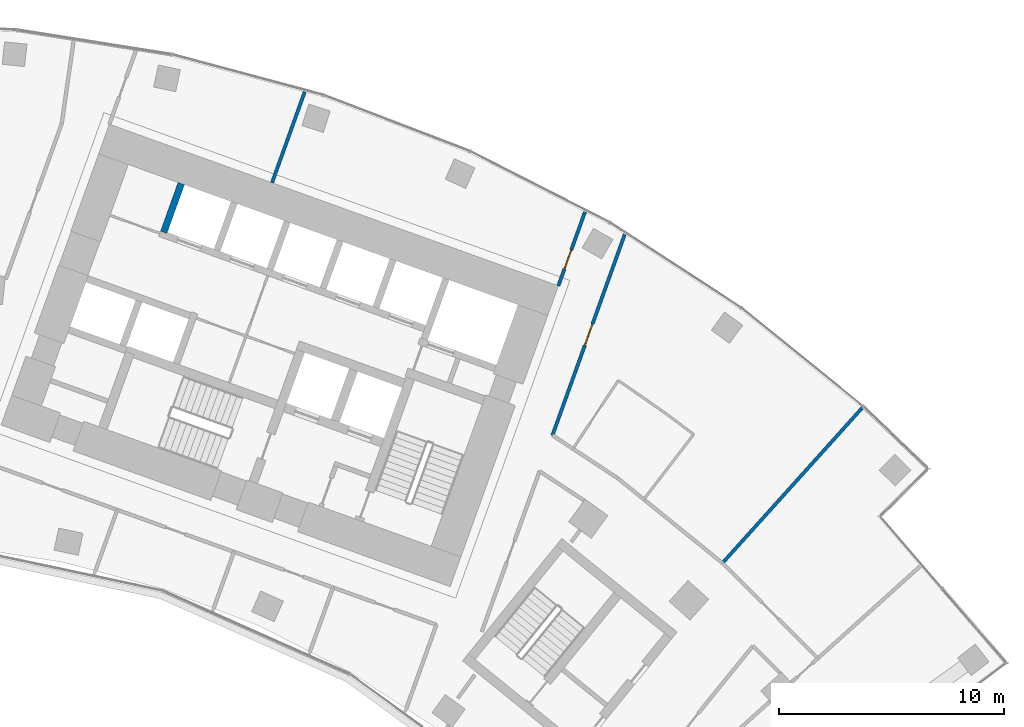
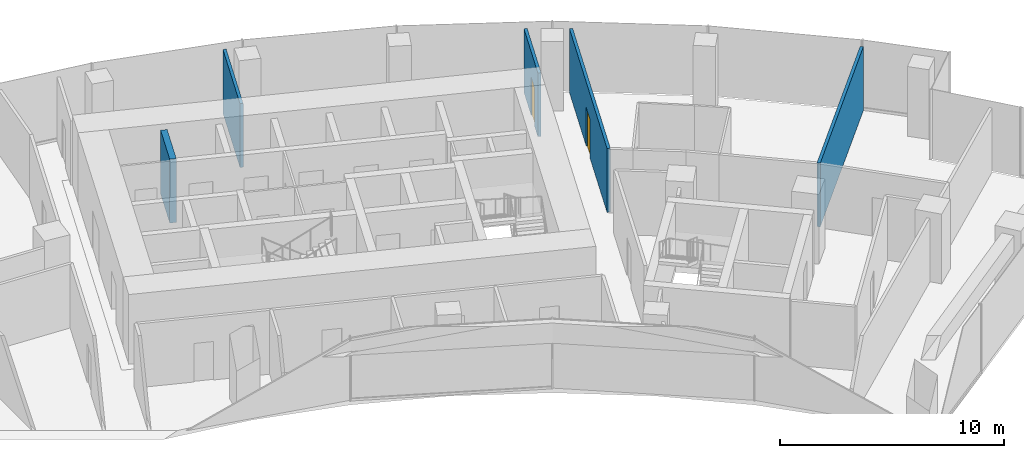
# One storey, part 18 of 21: 5 walls, 2 doors, 2 openings.
"""IFC4 building model written with IfcOpenShell, lengths in metres."""

from ifc_helpers import new_model, si_unit, direction, frame, frame_2d, origin, place, context, subcontext, project, spatial, rectangle, extrude, material, layer, layer_set, type_object, element, fill, save


model = new_model("IFC4")

# Units and contexts
model_context = context("Model", 3, precision=1e-05, world=origin(), true_north=direction((0.0, 1.0)))
body_context = subcontext(model_context, "Body", "Model", "MODEL_VIEW")
ifc_project = project(units=[si_unit("LENGTHUNIT", "METRE"), si_unit("AREAUNIT", "SQUARE_METRE"), si_unit("VOLUMEUNIT", "CUBIC_METRE"), si_unit("PLANEANGLEUNIT", "RADIAN"), si_unit("MASSUNIT", "GRAM", prefix="KILO")], contexts=[model_context])

# Site, building, storey
site_placement = place(None, origin())
site = spatial("IfcSite", under=ifc_project, at=site_placement, CompositionType="ELEMENT")
building_placement = place(site_placement, origin())
building = spatial("IfcBuilding", under=site, at=building_placement, Name="Stone Belt Terrace Tower", CompositionType="ELEMENT")
storey_placement = place(building_placement, frame((0.0, 0.0, 151.60009765625)))
storey = spatial("IfcBuildingStorey", under=building, at=storey_placement, Name="L36", CompositionType="ELEMENT", Elevation=151.60009765625)

# Wall
ifc_material_1 = material(Name="Concrete B80", Category="concrete")
ifc_layer_1 = layer(ifc_material_1, 0.300048828125)
ifc_layer_set_1 = layer_set([ifc_layer_1], Name="Lift shaft wall 300")
wall_type_1 = type_object("IfcWallType", Name="Lift shaft wall 300", PredefinedType="SHEAR", material=ifc_layer_set_1)
wall_1_placement = place(storey_placement, frame((13.471435546875, 57.218505859375, 0.0), z_axis=(0.0, 0.0, 1.0), x_axis=(0.338587917, 0.940934759939, 0.0)))
element("IfcWall", 1, at=wall_1_placement, inside=storey, type_object=wall_type_1, Name="Core B wall", PredefinedType="SHEAR", context=body_context, shape_type="SweptSolid", body=[
    extrude(rectangle(XDim=2.300048828125, YDim=0.300048828125, at=frame_2d((1.14990234375, 0.0))), origin(), (0.0, 0.0, 1.0), 3.47998046875),
])

# Wall, opening, door
ifc_material_2 = material(Name="Gypsum board partition")
ifc_layer_2 = layer(ifc_material_2, 0.14990234375)
ifc_layer_set_2 = layer_set([ifc_layer_2], Name="PARTITION 150 EI 60")
wall_type_2 = type_object("IfcWallType", Name="PARTITION 150 EI 60", PredefinedType="PARTITIONING", material=ifc_layer_set_2)
wall_2_placement = place(storey_placement, frame((31.001953125, 54.842041015625, 0.0), z_axis=(0.0, 0.0, 1.0), x_axis=(0.338662585219, 0.940907887826, 0.0)))
wall_2 = element("IfcWall", 2, at=wall_2_placement, inside=storey, type_object=wall_type_2, Name="L36/wall/i027", PredefinedType="PARTITIONING", context=body_context, shape_type="SweptSolid", body=[
    extrude(rectangle(XDim=3.49560546875, YDim=0.14990234375, at=frame_2d((1.747802734375, 0.0))), origin(), (0.0, 0.0, 1.0), 3.47998046875),
])
opening_1_placement = place(wall_2_placement, frame((0.798828125, 0.0, 0.0)))
opening_1 = element("IfcOpeningElement", 3, at=opening_1_placement, cuts=wall_2, Name="Opening D-C1-12", PredefinedType="OPENING", context=body_context, shape_type="SweptSolid", body=[
    extrude(rectangle(XDim=0.89990234375, YDim=2.10009765625, at=frame_2d((0.449951171875, 1.050048828125))), frame((0.0, 0.0849609375, 0.0), z_axis=(0.0, -1.0, 0.0), x_axis=(1.0, 0.0, 0.0)), (0.0, 0.0, 1.0), 0.169921875),
])
ifc_material_3 = material(Name="Timber door leaf", Category="wood")
door_type_1 = type_object("IfcDoorType", Name="OFFICE DOOR 900 X 2100", OperationType="NOTDEFINED", PredefinedType="DOOR", material=ifc_material_3)
door_1_placement = place(opening_1_placement, origin())
door_1 = element("IfcDoor", 4, at=door_1_placement, inside=storey, type_object=door_type_1, Name="L36/door/i12", OperationType="SINGLE_SWING_LEFT", OverallHeight=2.10009765625, OverallWidth=0.89990234375, PredefinedType="DOOR", context=body_context, shape_type="SweptSolid", body=[
    extrude(rectangle(XDim=0.89990234375, YDim=2.10009765625, at=frame_2d((0.449951171875, 1.050048828125))), frame((0.0, 0.02490234375, 0.0), z_axis=(0.0, -1.0, 0.0), x_axis=(1.0, 0.0, 0.0)), (0.0, 0.0, 1.0), 0.050048828125),
])
fill(opening_1, door_1)

wall_3_placement = place(storey_placement, frame((33.951904296875, 57.131103515625, 0.0), z_axis=(0.0, 0.0, 1.0), x_axis=(-0.338586530295, -0.940935258933, 0.0)))
wall_3 = element("IfcWall", 5, at=wall_3_placement, inside=storey, type_object=wall_type_2, Name="L36/wall/i031", PredefinedType="PARTITIONING", context=body_context, shape_type="SweptSolid", body=[
    extrude(rectangle(XDim=9.494873046875, YDim=0.14990234375, at=frame_2d((4.74755859375, 0.0))), origin(), (0.0, 0.0, 1.0), 3.47998046875),
])
opening_2_placement = place(wall_3_placement, frame((4.24755859375, 0.0, 0.0)))
opening_2 = element("IfcOpeningElement", 6, at=opening_2_placement, cuts=wall_3, Name="Opening D-C1-23", PredefinedType="OPENING", context=body_context, shape_type="SweptSolid", body=[
    extrude(rectangle(XDim=1.0, YDim=2.10009765625, at=frame_2d((0.5, 1.050048828125))), frame((0.0, 0.0849609375, 0.0), z_axis=(0.0, -1.0, 0.0), x_axis=(1.0, 0.0, 0.0)), (0.0, 0.0, 1.0), 0.169921875),
])
ifc_material_4 = material(Name="Timber fire door leaf", Category="wood")
door_type_2 = type_object("IfcDoorType", Name="TENANCY ENTRANCE DOOR 1000 X 2100", OperationType="NOTDEFINED", PredefinedType="DOOR", material=ifc_material_4)
door_2_placement = place(opening_2_placement, origin())
door_2 = element("IfcDoor", 7, at=door_2_placement, inside=storey, type_object=door_type_2, Name="L36/door/i23", OperationType="SINGLE_SWING_RIGHT", OverallHeight=2.10009765625, OverallWidth=1.0, PredefinedType="DOOR", context=body_context, shape_type="SweptSolid", body=[
    extrude(rectangle(XDim=1.0, YDim=2.10009765625, at=frame_2d((0.5, 1.050048828125))), frame((0.0, 0.02490234375, 0.0), z_axis=(0.0, -1.0, 0.0), x_axis=(1.0, 0.0, 0.0)), (0.0, 0.0, 1.0), 0.050048828125),
])
fill(opening_2, door_2)

# Walls
wall_4_placement = place(storey_placement, frame((19.73583984375, 63.463134765625, 0.0), z_axis=(0.0, 0.0, 1.0), x_axis=(-0.338570581803, -0.940940997692, 0.0)))
element("IfcWall", 8, at=wall_4_placement, inside=storey, type_object=wall_type_2, Name="L36/wall/i039", PredefinedType="PARTITIONING", context=body_context, shape_type="SweptSolid", body=[
    extrude(rectangle(XDim=4.296875, YDim=0.14990234375, at=frame_2d((2.1484375, 0.0))), origin(), (0.0, 0.0, 1.0), 3.47998046875),
])
wall_5_placement = place(storey_placement, frame((44.496826171875, 49.41943359375, 0.0), z_axis=(0.0, 0.0, 1.0), x_axis=(-0.669060704206, -0.743207759706, 0.0)))
element("IfcWall", 9, at=wall_5_placement, inside=storey, type_object=wall_type_2, Name="L36/wall/i079", PredefinedType="PARTITIONING", context=body_context, shape_type="SweptSolid", body=[
    extrude(rectangle(XDim=9.275390625, YDim=0.14990234375, at=frame_2d((4.6376953125, 0.0))), origin(), (0.0, 0.0, 1.0), 3.47998046875),
])

save(model, "model.ifc")
